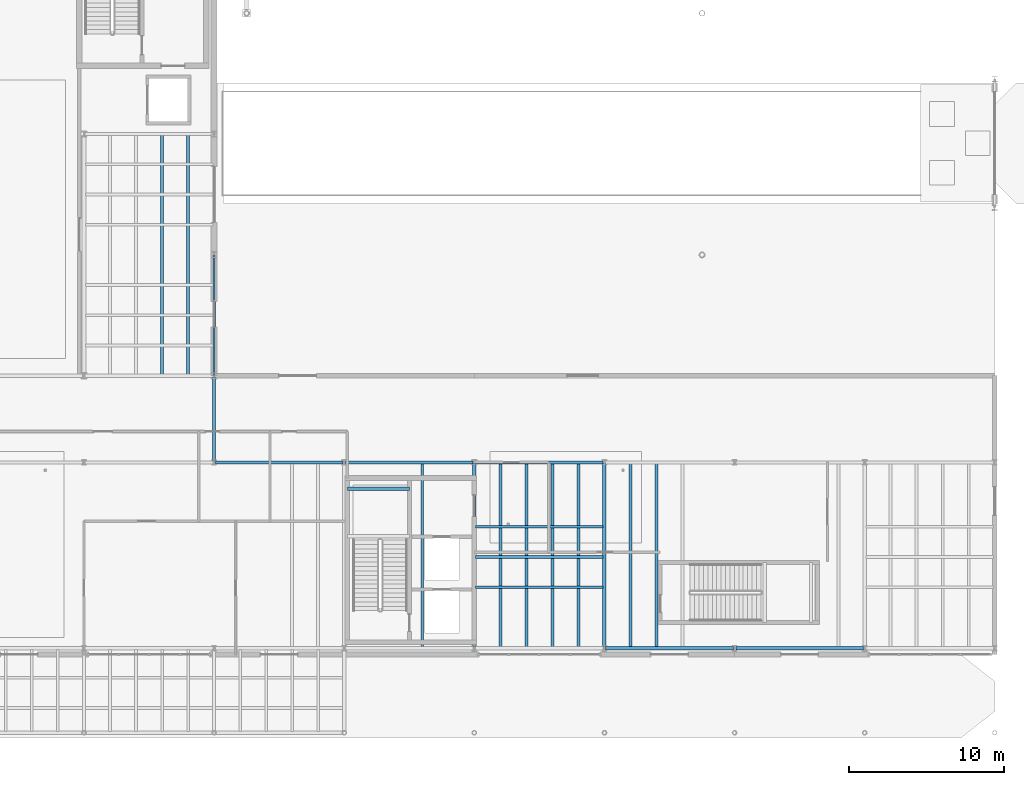
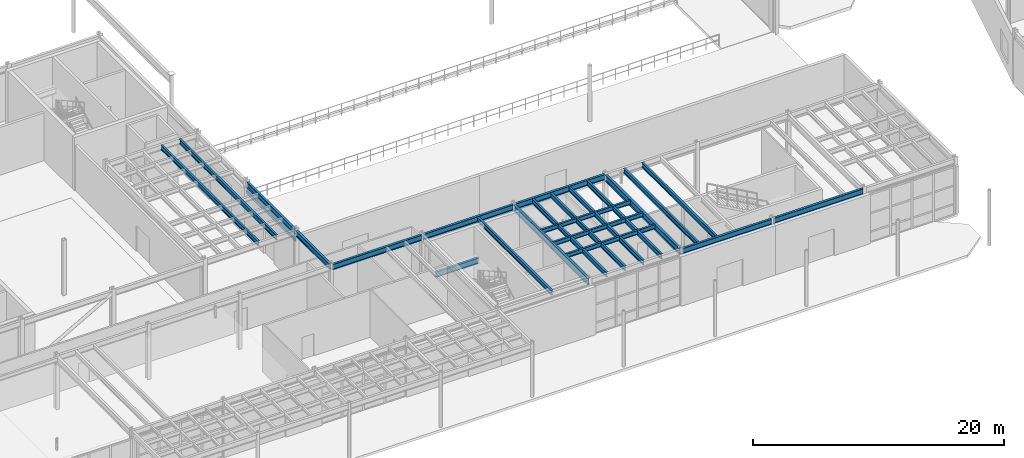
# One storey, part 37 of 87: 23 beams.
"""IFC4 building model written with IfcOpenShell, lengths in metres."""

from ifc_helpers import new_model, si_unit, direction, frame, origin, origin_2d, place, context, subcontext, project, spatial, hollow_rectangle, i_section, extrude, material, material_profile, profile_set, type_object, element, save


model = new_model("IFC4")

# Units and contexts
model_context = context("Model", 3, precision=1e-05, world=origin(), true_north=direction((0.0, 1.0)))
body_context = subcontext(model_context, "Body", "Model", "MODEL_VIEW")
ifc_project = project(units=[si_unit("LENGTHUNIT", "METRE"), si_unit("AREAUNIT", "SQUARE_METRE"), si_unit("VOLUMEUNIT", "CUBIC_METRE"), si_unit("PLANEANGLEUNIT", "RADIAN"), si_unit("MASSUNIT", "GRAM", prefix="KILO")], contexts=[model_context])

# Site, building, storey
site_placement = place(None, origin())
site = spatial("IfcSite", under=ifc_project, at=site_placement, CompositionType="ELEMENT")
building_placement = place(site_placement, origin())
building = spatial("IfcBuilding", under=site, at=building_placement, Name="Selat Folded Stagehouse", CompositionType="ELEMENT")
storey_placement = place(building_placement, origin())
storey = spatial("IfcBuildingStorey", under=building, at=storey_placement, Name="L00", CompositionType="ELEMENT", Elevation=0.0)

# Beams
ifc_material = material(Name="Steel S355", Category="steel")
ifc_material_profile_1 = material_profile(ifc_material, i_section(OverallWidth=0.210693359375, OverallDepth=0.53955078125, WebThickness=0.01171875, FlangeThickness=0.018798828125, FilletRadius=0.0126953125, at=origin_2d()), Name="UKB 533x210x109")
ifc_profile_set_1 = profile_set([ifc_material_profile_1], Name="Steel S355")
beam_type_1 = type_object("IfcBeamType", Name="BM-GIRD-533x210x109", PredefinedType="BEAM", material=ifc_profile_set_1)
beam_1_placement = place(storey_placement, frame((67.199951171875, 17.8798828125, 4.92041015625), z_axis=(0.0, 1.0, 0.0), x_axis=(-1.0, 0.0, 0.0)))
element("IfcBeam", 1, at=beam_1_placement, inside=storey, type_object=beam_type_1, Name="L00 primary y-girder 0573", PredefinedType="BEAM", context=body_context, shape_type="SweptSolid", body=[
    extrude(i_section(OverallWidth=0.210693359375, OverallDepth=0.53955078125, WebThickness=0.01171875, FlangeThickness=0.018798828125, FilletRadius=0.0126953125, at=origin_2d()), origin(), (0.0, 0.0, 1.0), 5.440185546875),
])
beam_2_placement = place(storey_placement, frame((67.199951171875, 23.47998046875, 4.91015625), z_axis=(0.0, 1.0, 0.0), x_axis=(-1.0, 0.0, 0.0)))
element("IfcBeam", 2, at=beam_2_placement, inside=storey, type_object=beam_type_1, Name="L00 primary y-girder 0574", PredefinedType="BEAM", context=body_context, shape_type="SweptSolid", body=[
    extrude(i_section(OverallWidth=0.210693359375, OverallDepth=0.53955078125, WebThickness=0.01171875, FlangeThickness=0.018798828125, FilletRadius=0.0126953125, at=origin_2d()), origin(), (0.0, 0.0, 1.0), 7.64013671875),
])
ifc_material_profile_2 = material_profile(ifc_material, i_section(OverallWidth=0.209228515625, OverallDepth=0.533203125, WebThickness=0.010009765625, FlangeThickness=0.015625, FilletRadius=0.0126953125, at=origin_2d()), Name="UKB 533x210x92")
ifc_profile_set_2 = profile_set([ifc_material_profile_2], Name="Steel S355")
beam_type_2 = type_object("IfcBeamType", Name="BM-GIRD-533x210x92", PredefinedType="BEAM", material=ifc_profile_set_2)
beam_3_placement = place(storey_placement, frame((92.47998046875, 5.800048828125, 4.91357421875), z_axis=(1.0, 0.0, 0.0), x_axis=(0.0, 1.0, 0.0)))
element("IfcBeam", 3, at=beam_3_placement, inside=storey, type_object=beam_type_2, Name="L00 primary x-girder 0506", PredefinedType="BEAM", context=body_context, shape_type="SweptSolid", body=[
    extrude(i_section(OverallWidth=0.209228515625, OverallDepth=0.533203125, WebThickness=0.010009765625, FlangeThickness=0.015625, FilletRadius=0.0126953125, at=origin_2d()), origin(), (0.0, 0.0, 1.0), 8.239990234375),
])
beam_4_placement = place(storey_placement, frame((100.8798828125, 5.800048828125, 4.91357421875), z_axis=(1.0, 0.0, 0.0), x_axis=(0.0, 1.0, 0.0)))
element("IfcBeam", 4, at=beam_4_placement, inside=storey, type_object=beam_type_2, Name="L00 primary x-girder 0507", PredefinedType="BEAM", context=body_context, shape_type="SweptSolid", body=[
    extrude(i_section(OverallWidth=0.209228515625, OverallDepth=0.533203125, WebThickness=0.010009765625, FlangeThickness=0.015625, FilletRadius=0.0126953125, at=origin_2d()), origin(), (0.0, 0.0, 1.0), 8.240234375),
])
for number, where, z_axis, x_axis, name in (
    (5, (67.280029296875, 17.800048828125, 4.91357421875), (1.0, 0.0, 0.0), (0.0, 1.0, 0.0), "L00 primary x-girder 0513"),
    (6, (75.679931640625, 17.800048828125, 4.91357421875), (1.0, 0.0, 0.0), (0.0, 1.0, 0.0), "L00 primary x-girder 0514"),
    (7, (84.080078125, 17.800048828125, 4.91357421875), (1.0, 0.0, 0.0), (0.0, 1.0, 0.0), "L00 primary x-girder 0515"),
):
    element("IfcBeam", number, at=place(storey_placement, frame(where, z_axis=z_axis, x_axis=x_axis)), inside=storey, type_object=beam_type_2, Name=name, PredefinedType="BEAM", context=body_context, shape_type="SweptSolid", body=[
        extrude(i_section(OverallWidth=0.209228515625, OverallDepth=0.533203125, WebThickness=0.010009765625, FlangeThickness=0.015625, FilletRadius=0.0126953125, at=origin_2d()), origin(), (0.0, 0.0, 1.0), 8.239990234375),
    ])
beam_5_placement = place(storey_placement, frame((75.800048828125, 16.10009765625, 2.2333984375), z_axis=(1.0, 0.0, 0.0), x_axis=(0.0, 1.0, 0.0)))
element("IfcBeam", 8, at=beam_5_placement, inside=storey, type_object=beam_type_2, Name="L00 ST-03 landing support beam 2", PredefinedType="BEAM", context=body_context, shape_type="SweptSolid", body=[
    extrude(i_section(OverallWidth=0.209228515625, OverallDepth=0.533203125, WebThickness=0.010009765625, FlangeThickness=0.015625, FilletRadius=0.0126953125, at=origin_2d()), origin(), (0.0, 0.0, 1.0), 4.02001953125),
])
ifc_material_profile_3 = material_profile(ifc_material, i_section(OverallWidth=0.230224609375, OverallDepth=0.6171875, WebThickness=0.01318359375, FlangeThickness=0.022216796875, FilletRadius=0.0126953125, at=origin_2d()), Name="UKB 610x229x140")
ifc_profile_set_3 = profile_set([ifc_material_profile_3], Name="Steel S355")
beam_type_3 = type_object("IfcBeamType", Name="BM-GIRD-610x229x140", PredefinedType="BEAM", material=ifc_profile_set_3)
for number, where, z_axis, x_axis, name in (
    (9, (84.0, 5.8798828125, 4.871337890625), (0.0, 1.0, 0.0), (-1.0, 0.0, 0.0), "L00 primary y-girder 0581"),
    (10, (92.39990234375, 5.8798828125, 4.871337890625), (0.0, 1.0, 0.0), (-1.0, 0.0, 0.0), "L00 primary y-girder 0582"),
):
    element("IfcBeam", number, at=place(storey_placement, frame(where, z_axis=z_axis, x_axis=x_axis)), inside=storey, type_object=beam_type_3, Name=name, PredefinedType="BEAM", context=body_context, shape_type="SweptSolid", body=[
        extrude(i_section(OverallWidth=0.230224609375, OverallDepth=0.6171875, WebThickness=0.01318359375, FlangeThickness=0.022216796875, FilletRadius=0.0126953125, at=origin_2d()), origin(), (0.0, 0.0, 1.0), 11.840087890625),
    ])
ifc_material_profile_4 = material_profile(ifc_material, i_section(OverallWidth=0.177978515625, OverallDepth=0.406494140625, WebThickness=0.0078125, FlangeThickness=0.0126953125, FilletRadius=0.01025390625, at=origin_2d()), Name="UKB 406x178x60")
ifc_profile_set_4 = profile_set([ifc_material_profile_4], Name="Steel S355")
beam_type_4 = type_object("IfcBeamType", Name="JST-406x178x60", PredefinedType="JOIST", material=ifc_profile_set_4)
for number, where, z_axis, x_axis, name in (
    (11, (84.08056640625, 9.75, 4.976806640625), (1.0, 0.0, 0.0), (0.0, 1.0, 0.0), "L00 secondary x-joist 0710"),
    (12, (84.08056640625, 11.699951171875, 4.976806640625), (1.0, 0.0, 0.0), (0.0, 1.0, 0.0), "L00 secondary x-joist 0714"),
    (13, (84.08056640625, 13.64990234375, 4.976806640625), (1.0, 0.0, 0.0), (0.0, 1.0, 0.0), "L00 secondary x-joist 0718"),
):
    element("IfcBeam", number, at=place(storey_placement, frame(where, z_axis=z_axis, x_axis=x_axis)), inside=storey, type_object=beam_type_4, Name=name, PredefinedType="JOIST", context=body_context, shape_type="SweptSolid", body=[
        extrude(i_section(OverallWidth=0.177978515625, OverallDepth=0.406494140625, WebThickness=0.0078125, FlangeThickness=0.0126953125, FilletRadius=0.01025390625, at=origin_2d()), origin(), (0.0, 0.0, 1.0), 8.23876953125),
    ])
ifc_material_profile_5 = material_profile(ifc_material, i_section(OverallWidth=0.18994140625, OverallDepth=0.453369140625, WebThickness=0.008544921875, FlangeThickness=0.0126953125, FilletRadius=0.01025390625, at=origin_2d()), Name="UKB 457x191x67")
ifc_profile_set_5 = profile_set([ifc_material_profile_5], Name="Steel S355")
beam_type_5 = type_object("IfcBeamType", Name="JST-457x191x67", PredefinedType="JOIST", material=ifc_profile_set_5)
for number, where, z_axis, x_axis, name in (
    (14, (63.840087890625, 23.473388671875, 4.953369140625), (0.0, 1.0, 0.0), (-1.0, 0.0, 0.0), "L00 secondary floor joist 0661"),
    (15, (65.52001953125, 23.473388671875, 4.953369140625), (0.0, 1.0, 0.0), (-1.0, 0.0, 0.0), "L00 secondary floor joist 0663"),
):
    element("IfcBeam", number, at=place(storey_placement, frame(where, z_axis=z_axis, x_axis=x_axis)), inside=storey, type_object=beam_type_5, Name=name, PredefinedType="JOIST", context=body_context, shape_type="SweptSolid", body=[
        extrude(i_section(OverallWidth=0.18994140625, OverallDepth=0.453369140625, WebThickness=0.008544921875, FlangeThickness=0.0126953125, FilletRadius=0.01025390625, at=origin_2d()), origin(), (0.0, 0.0, 1.0), 15.453369140625),
    ])
for number, where, z_axis, x_axis, name in (
    (16, (80.639892578125, 5.873291015625, 4.953369140625), (0.0, 1.0, 0.0), (-1.0, 0.0, 0.0), "L00 secondary floor joist 0670"),
    (17, (85.679931640625, 5.873291015625, 4.953369140625), (0.0, 1.0, 0.0), (-1.0, 0.0, 0.0), "L00 secondary floor joist 0671"),
    (18, (87.360107421875, 5.873291015625, 4.953369140625), (0.0, 1.0, 0.0), (-1.0, 0.0, 0.0), "L00 secondary floor joist 0672"),
    (19, (89.0400390625, 5.873291015625, 4.953369140625), (0.0, 1.0, 0.0), (-1.0, 0.0, 0.0), "L00 secondary floor joist 0673"),
    (20, (90.719970703125, 5.873291015625, 4.953369140625), (0.0, 1.0, 0.0), (-1.0, 0.0, 0.0), "L00 secondary floor joist 0674"),
    (21, (94.080078125, 5.873291015625, 4.953369140625), (0.0, 1.0, 0.0), (-1.0, 0.0, 0.0), "L00 secondary floor joist 0675"),
    (22, (95.760009765625, 5.873291015625, 4.953369140625), (0.0, 1.0, 0.0), (-1.0, 0.0, 0.0), "L00 secondary floor joist 0676"),
):
    element("IfcBeam", number, at=place(storey_placement, frame(where, z_axis=z_axis, x_axis=x_axis)), inside=storey, type_object=beam_type_5, Name=name, PredefinedType="JOIST", context=body_context, shape_type="SweptSolid", body=[
        extrude(i_section(OverallWidth=0.18994140625, OverallDepth=0.453369140625, WebThickness=0.008544921875, FlangeThickness=0.0126953125, FilletRadius=0.01025390625, at=origin_2d()), origin(), (0.0, 0.0, 1.0), 11.853515625),
    ])
ifc_material_profile_6 = material_profile(ifc_material, hollow_rectangle(XDim=0.14990234375, YDim=0.300048828125, WallThickness=0.010009765625, at=origin_2d()), Name="RHS 300x150x10.0")
ifc_profile_set_6 = profile_set([ifc_material_profile_6], Name="Steel S355")
beam_type_6 = type_object("IfcBeamType", Name="LNT-RHS-300x150", PredefinedType="LINTEL", material=ifc_profile_set_6)
beam_6_placement = place(storey_placement, frame((67.199951171875, 23.39990234375, 4.159912109375), z_axis=(0.0, 1.0, 0.0), x_axis=(-1.0, 0.0, 0.0)))
element("IfcBeam", 23, at=beam_6_placement, inside=storey, type_object=beam_type_6, Name="L00 structural lintel beam 02", PredefinedType="LINTEL", context=body_context, shape_type="SweptSolid", body=[
    extrude(hollow_rectangle(XDim=0.14990234375, YDim=0.300048828125, WallThickness=0.010009765625, at=origin_2d()), origin(), (0.0, 0.0, 1.0), 7.800048828125),
])

save(model, "model.ifc")
